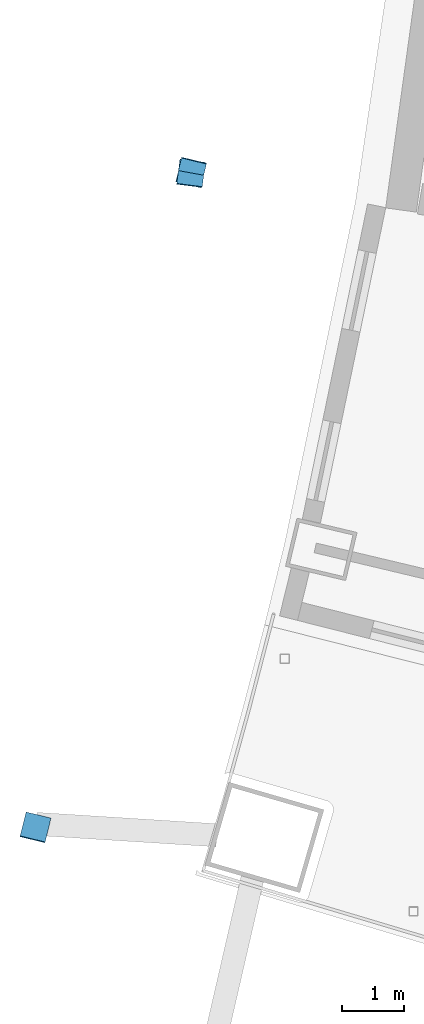
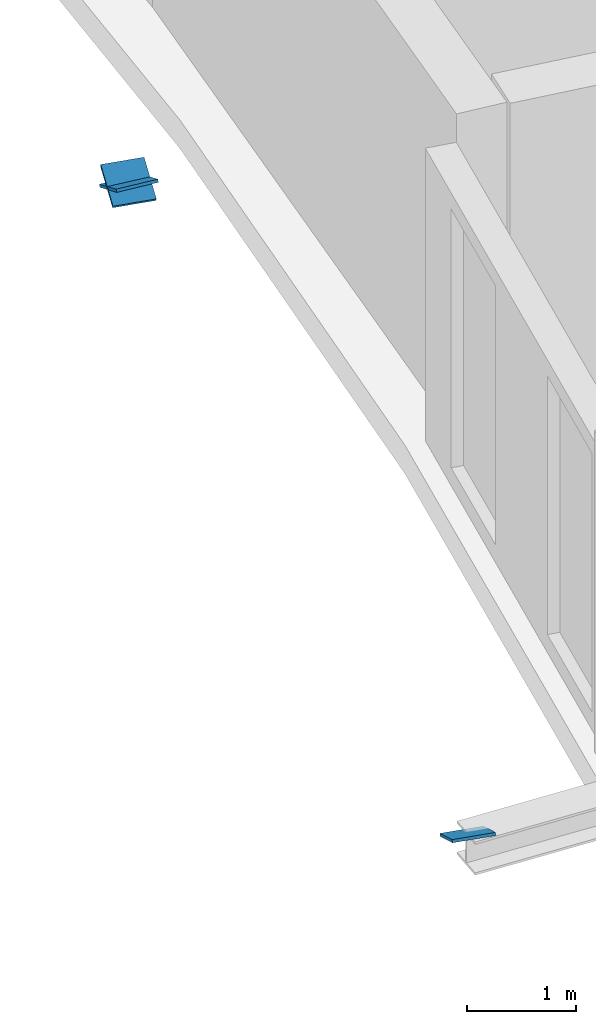
# One storey, part 15 of 20: 3 discrete accessories.
"""IFC4 building model written with IfcOpenShell, lengths in metres."""

from ifc_helpers import new_model, si_unit, direction, frame, origin, origin_2d, place, context, subcontext, project, spatial, rectangle, extrude, material, material_profile, profile_set, type_object, element, save


model = new_model("IFC4")

# Units and contexts
model_context = context("Model", 3, precision=1e-05, world=origin(), true_north=direction((0.0, 1.0)))
body_context = subcontext(model_context, "Body", "Model", "MODEL_VIEW")
ifc_project = project(units=[si_unit("LENGTHUNIT", "METRE"), si_unit("AREAUNIT", "SQUARE_METRE"), si_unit("VOLUMEUNIT", "CUBIC_METRE"), si_unit("PLANEANGLEUNIT", "RADIAN"), si_unit("MASSUNIT", "GRAM", prefix="KILO")], contexts=[model_context])

# Site, building, storey
site_placement = place(None, origin())
site = spatial("IfcSite", under=ifc_project, at=site_placement, CompositionType="ELEMENT")
building_placement = place(site_placement, origin())
building = spatial("IfcBuilding", under=site, at=building_placement, Name="Alderwake Tower", CompositionType="ELEMENT")
storey_placement = place(building_placement, frame((0.0, 0.0, 263.60009765625)))
storey = spatial("IfcBuildingStorey", under=building, at=storey_placement, Name="L65", CompositionType="ELEMENT", Elevation=263.60009765625)

# Discrete accessories
ifc_material = material(Name="Steel ASTM A572 Grade 50", Category="steel")
ifc_material_profile = material_profile(ifc_material, rectangle(XDim=0.41552734375, YDim=0.445556640625, at=origin_2d()), Name="W14X342 cap")
ifc_profile_set = profile_set([ifc_material_profile], Name="Steel ASTM A572 Grade 50")
discrete_accessory_type = type_object("IfcDiscreteAccessoryType", Name="End cap plate W14X342", PredefinedType="USERDEFINED", material=ifc_profile_set)
for number, where, z_axis, x_axis, name in (
    (1, (9.359619140625, 34.171630859375, 3.599853515625), (-0.105869651339, -0.43162242469, -0.895820126716), (0.971210844098, -0.238221527798, 0.0), "End cap BRR5.2.2A S"),
    (2, (11.875, 44.755615234375, 3.599853515625), (0.105495990526, 0.438214114494, -0.892658381376), (-0.972223637158, 0.234053838575, 0.0), "End cap BRR5.2.2B1 S"),
    (3, (11.875, 44.755615234375, 3.599853515625), (-0.056826119483, -0.446490938798, -0.892981877596), (0.991997911724, -0.126254279674, 0.0), "End cap BRR5.2.4A S"),
):
    element("IfcDiscreteAccessory", number, at=place(storey_placement, frame(where, z_axis=z_axis, x_axis=x_axis)), inside=storey, type_object=discrete_accessory_type, Name=name, ObjectType="END CAP", PredefinedType="USERDEFINED", context=body_context, shape_type="SweptSolid", body=[
        extrude(rectangle(XDim=0.41552734375, YDim=0.445556640625, at=origin_2d()), origin(), (0.0, 0.0, 1.0), 0.030029296875),
    ])

save(model, "model.ifc")
